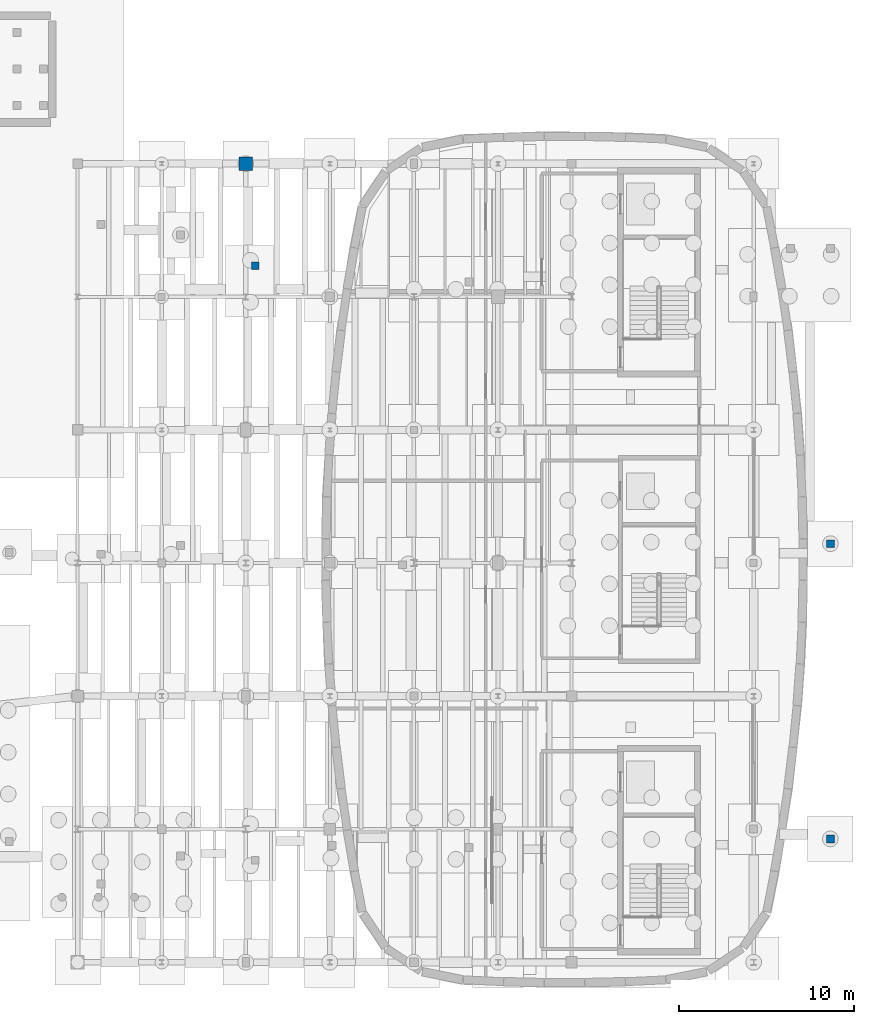
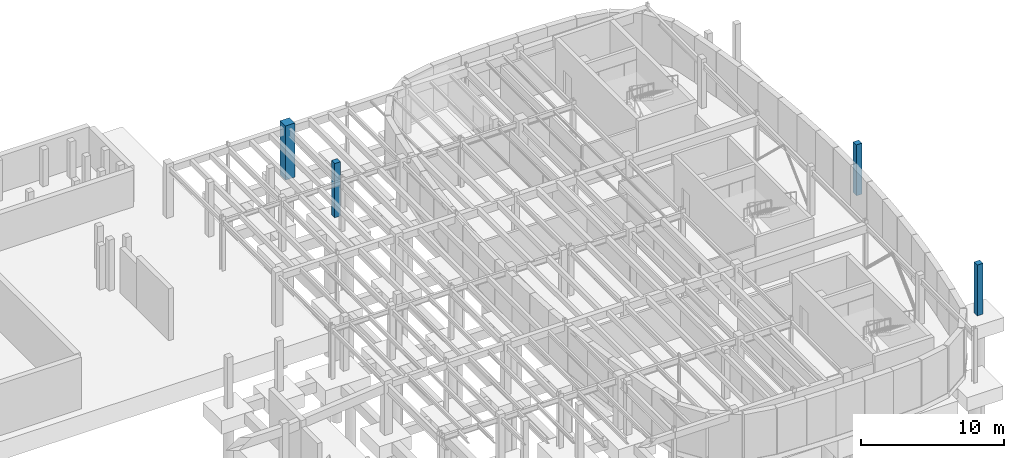
# One storey, part 23 of 45: 4 columns.
"""IFC4 building model written with IfcOpenShell, lengths in metres."""

from ifc_helpers import new_model, si_unit, direction, frame, origin, origin_2d, place, context, subcontext, project, spatial, rectangle, extrude, material, material_profile, profile_set, type_object, element, save


model = new_model("IFC4")

# Units and contexts
model_context = context("Model", 3, precision=1e-05, world=origin(), true_north=direction((0.0, 1.0)))
body_context = subcontext(model_context, "Body", "Model", "MODEL_VIEW")
ifc_project = project(units=[si_unit("LENGTHUNIT", "METRE"), si_unit("AREAUNIT", "SQUARE_METRE"), si_unit("VOLUMEUNIT", "CUBIC_METRE"), si_unit("PLANEANGLEUNIT", "RADIAN"), si_unit("MASSUNIT", "GRAM", prefix="KILO")], contexts=[model_context])

# Site, building, storey
site_placement = place(None, origin())
site = spatial("IfcSite", under=ifc_project, at=site_placement, CompositionType="ELEMENT")
building_placement = place(site_placement, origin())
building = spatial("IfcBuilding", under=site, at=building_placement, Name="Corveleigh Park Community Centre", CompositionType="ELEMENT")
storey_placement = place(building_placement, frame((0.0, 0.0, -4.199951171875)))
storey = spatial("IfcBuildingStorey", under=building, at=storey_placement, Name="B1", CompositionType="ELEMENT", Elevation=-4.199951171875)

# Columns
ifc_material = material(Name="Concrete C40/50", Category="concrete")
ifc_material_profile_1 = material_profile(ifc_material, rectangle(XDim=0.449951171875, YDim=0.449951171875, at=origin_2d()), Name="RC-450x450", Category="concrete")
ifc_profile_set_1 = profile_set([ifc_material_profile_1], Name="Concrete C40/50")
column_type_1 = type_object("IfcColumnType", Name="COL-RC-450x450", PredefinedType="COLUMN", material=ifc_profile_set_1)
column_1_placement = place(storey_placement, frame((139.94091796875, 98.3759765625, -0.4150390625), z_axis=(0.0, 0.0, 1.0), x_axis=(1.0, 0.0, 0.0)))
element("IfcColumn", 1, at=column_1_placement, inside=storey, type_object=column_type_1, Name="External deck support pier 136 B1", PredefinedType="COLUMN", context=body_context, shape_type="SweptSolid", body=[
    extrude(rectangle(XDim=0.449951171875, YDim=0.449951171875, at=origin_2d()), origin(), (0.0, 0.0, 1.0), 4.614990234375),
])
for number, where, z_axis, x_axis, name in (
    (2, (172.781982421875, 65.64404296875, -0.4150390625), (0.0, 0.0, 1.0), (1.0, 0.0, 0.0), "External deck support pier 177 B1"),
    (3, (172.781982421875, 82.5, -0.4150390625), (0.0, 0.0, 1.0), (1.0, 0.0, 0.0), "External deck support pier 178 B1"),
):
    element("IfcColumn", number, at=place(storey_placement, frame(where, z_axis=z_axis, x_axis=x_axis)), inside=storey, type_object=column_type_1, Name=name, PredefinedType="COLUMN", context=body_context, shape_type="SweptSolid", body=[
        extrude(rectangle(XDim=0.449951171875, YDim=0.449951171875, at=origin_2d()), origin(), (0.0, 0.0, 1.0), 4.3330078125),
    ])
ifc_material_profile_2 = material_profile(ifc_material, rectangle(XDim=0.75, YDim=0.75, at=origin_2d()), Name="RC-750x750", Category="concrete")
ifc_profile_set_2 = profile_set([ifc_material_profile_2], Name="Concrete C40/50")
column_type_2 = type_object("IfcColumnType", Name="COL-RC-750x750", PredefinedType="COLUMN", material=ifc_profile_set_2)
column_2_placement = place(storey_placement, frame((139.39990234375, 104.199951171875, -0.4150390625), z_axis=(0.0, 0.0, 1.0), x_axis=(1.0, 0.0, 0.0)))
element("IfcColumn", 4, at=column_2_placement, inside=storey, type_object=column_type_2, Name="Column V4-X2Y6 B1", PredefinedType="COLUMN", context=body_context, shape_type="SweptSolid", body=[
    extrude(rectangle(XDim=0.75, YDim=0.75, at=origin_2d()), origin(), (0.0, 0.0, 1.0), 4.614990234375),
])

save(model, "model.ifc")
